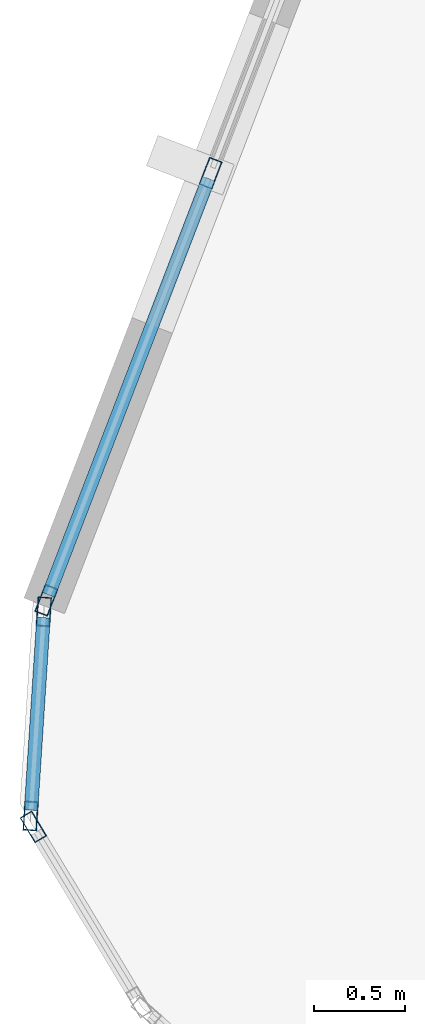
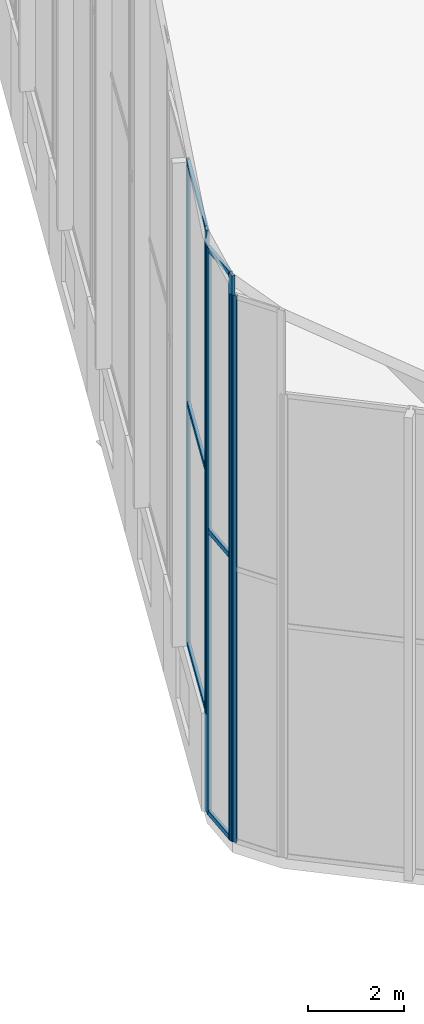
# One storey, part 12 of 74: 11 members, 3 elements without a shape of their own.
"""IFC4 building model written with IfcOpenShell, lengths in metres."""

from ifc_helpers import new_model, si_unit, direction, frame, origin, origin_2d, place, context, subcontext, project, spatial, hollow_rectangle, extrude, material, layer, layer_set, material_profile, profile_set, type_object, element, aggregate, save


model = new_model("IFC4")

# Units and contexts
model_context = context("Model", 3, precision=1e-05, world=origin(), true_north=direction((0.0, 1.0)))
body_context = subcontext(model_context, "Body", "Model", "MODEL_VIEW")
ifc_project = project(units=[si_unit("LENGTHUNIT", "METRE"), si_unit("AREAUNIT", "SQUARE_METRE"), si_unit("VOLUMEUNIT", "CUBIC_METRE"), si_unit("PLANEANGLEUNIT", "RADIAN"), si_unit("MASSUNIT", "GRAM", prefix="KILO")], contexts=[model_context])

# Site, building, storey
site_placement = place(None, origin())
site = spatial("IfcSite", under=ifc_project, at=site_placement, CompositionType="ELEMENT")
building_placement = place(site_placement, origin())
building = spatial("IfcBuilding", under=site, at=building_placement, Name="Keshet Zoharim Tower", CompositionType="ELEMENT")
storey_placement = place(building_placement, frame((0.0, 0.0, 320.0)))
storey = spatial("IfcBuildingStorey", under=building, at=storey_placement, Name="RF", CompositionType="ELEMENT", Elevation=320.0)

# Curtain wall, member
ifc_material = material(Name="Aluminium 6063-T6", Category="aluminium")
ifc_layer = layer(ifc_material, 0.260009765625)
ifc_layer_set = layer_set([ifc_layer], Name="Aluminium 6063-T6")
curtain_wall_type = type_object("IfcCurtainWallType", Name="CW-SYS-06", PredefinedType="NOTDEFINED", material=ifc_layer_set)
curtain_wall_1_placement = place(storey_placement, origin())
curtain_wall_1 = element("IfcCurtainWall", 1, at=curtain_wall_1_placement, inside=storey, type_object=curtain_wall_type, Name="Slanted Crown Curtain Wall 01", PredefinedType="NOTDEFINED")
ifc_material_profile_1 = material_profile(ifc_material, hollow_rectangle(XDim=0.074951171875, YDim=0.159912109375, WallThickness=0.00390625, at=origin_2d()), Name="MUL-75x160")
ifc_profile_set_1 = profile_set([ifc_material_profile_1], Name="Aluminium 6063-T6")
member_type_1 = type_object("IfcMemberType", Name="CWM-M15", PredefinedType="MULLION", material=ifc_profile_set_1)
member_1_placement = place(storey_placement, frame((3.436767578125, 22.774169921875, 0.0), z_axis=(0.0, 0.0, 1.0), x_axis=(-0.856826433805, -0.515604947933, 0.0)))
member_1 = element("IfcMember", 2, at=member_1_placement, type_object=member_type_1, Name="CW-06 mullion 2", PredefinedType="MULLION", context=body_context, shape_type="SweptSolid", body=[
    extrude(hollow_rectangle(XDim=0.074951171875, YDim=0.159912109375, WallThickness=0.00390625, at=origin_2d()), origin(), (0.0, 0.0, 1.0), 13.927978515625),
])
aggregate(curtain_wall_1, [member_1])

# Curtain wall, members
curtain_wall_2_placement = place(storey_placement, origin())
curtain_wall_2 = element("IfcCurtainWall", 3, at=curtain_wall_2_placement, inside=storey, type_object=curtain_wall_type, Name="Slanted Crown Curtain Wall 02", PredefinedType="NOTDEFINED")
member_2_placement = place(storey_placement, frame((3.422119140625, 22.83447265625, 0.0), z_axis=(0.0, 0.0, 1.0), x_axis=(-0.997916617186, 0.064516859374, 0.0)))
member_2 = element("IfcMember", 4, at=member_2_placement, type_object=member_type_1, Name="CW-06 mullion 1", PredefinedType="MULLION", context=body_context, shape_type="SweptSolid", body=[
    extrude(hollow_rectangle(XDim=0.074951171875, YDim=0.159912109375, WallThickness=0.00390625, at=origin_2d()), origin(), (0.0, 0.0, 1.0), 14.41796875),
])
member_3_placement = place(storey_placement, frame((3.494873046875, 23.96044921875, 0.0), z_axis=(0.0, 0.0, 1.0), x_axis=(-0.997916617186, 0.064516859374, 0.0)))
member_3 = element("IfcMember", 5, at=member_3_placement, type_object=member_type_1, Name="CW-06 mullion 2", PredefinedType="MULLION", context=body_context, shape_type="SweptSolid", body=[
    extrude(hollow_rectangle(XDim=0.074951171875, YDim=0.159912109375, WallThickness=0.00390625, at=origin_2d()), origin(), (0.0, 0.0, 1.0), 14.41796875),
])

curtain_wall_3_placement = place(storey_placement, origin())
curtain_wall_3 = element("IfcCurtainWall", 6, at=curtain_wall_3_placement, inside=storey, type_object=curtain_wall_type, Name="Slanted Crown Curtain Wall 03", PredefinedType="NOTDEFINED")
member_4_placement = place(storey_placement, frame((3.508544921875, 24.0234375, 2.5), z_axis=(0.0, 0.0, 1.0), x_axis=(-0.933345606206, 0.358979079302, 0.0)))
member_4 = element("IfcMember", 7, at=member_4_placement, type_object=member_type_1, Name="CW-06 mullion 1", PredefinedType="MULLION", context=body_context, shape_type="SweptSolid", body=[
    extrude(hollow_rectangle(XDim=0.074951171875, YDim=0.159912109375, WallThickness=0.00390625, at=origin_2d()), origin(), (0.0, 0.0, 1.0), 12.326904296875),
])
member_5_placement = place(storey_placement, frame((4.41455078125, 26.37841796875, 2.5), z_axis=(0.0, 0.0, 1.0), x_axis=(-0.933345606206, 0.358979079302, 0.0)))
member_5 = element("IfcMember", 8, at=member_5_placement, type_object=member_type_1, Name="CW-06 mullion 2", PredefinedType="MULLION", context=body_context, shape_type="SweptSolid", body=[
    extrude(hollow_rectangle(XDim=0.074951171875, YDim=0.159912109375, WallThickness=0.00390625, at=origin_2d()), origin(), (0.0, 0.0, 1.0), 12.326904296875),
])

# Member
ifc_material_profile_2 = material_profile(ifc_material, hollow_rectangle(XDim=0.074951171875, YDim=0.1201171875, WallThickness=0.00390625, at=origin_2d()), Name="TRN-75x120")
ifc_profile_set_2 = profile_set([ifc_material_profile_2], Name="Aluminium 6063-T6")
member_type_2 = type_object("IfcMemberType", Name="CWT-T12", PredefinedType="USERDEFINED", material=ifc_profile_set_2)
member_6_placement = place(storey_placement, frame((3.424072265625, 22.866943359375, 0.032470703125), z_axis=(0.064736250136, 0.997902409015, 0.0), x_axis=(-0.997902409015, 0.064736250136, 0.0)))
member_6 = element("IfcMember", 9, at=member_6_placement, type_object=member_type_2, Name="CW-06 transom 1.1", ObjectType="TRANSOM", PredefinedType="USERDEFINED", context=body_context, shape_type="SweptSolid", body=[
    extrude(hollow_rectangle(XDim=0.074951171875, YDim=0.1201171875, WallThickness=0.00390625, at=origin_2d()), origin(), (0.0, 0.0, 1.0), 1.0634765625),
])

member_7_placement = place(storey_placement, frame((3.424072265625, 22.866943359375, 7.208984375), z_axis=(0.064736250136, 0.997902409015, 0.0), x_axis=(-0.997902409015, 0.064736250136, 0.0)))
member_7 = element("IfcMember", 10, at=member_7_placement, type_object=member_type_2, Name="CW-06 transom 1.2", ObjectType="TRANSOM", PredefinedType="USERDEFINED", context=body_context, shape_type="SweptSolid", body=[
    extrude(hollow_rectangle(XDim=0.074951171875, YDim=0.1201171875, WallThickness=0.00390625, at=origin_2d()), origin(), (0.0, 0.0, 1.0), 1.0634765625),
])

member_8_placement = place(storey_placement, frame((3.424072265625, 22.866943359375, 14.385498046875), z_axis=(0.064736250136, 0.997902409015, 0.0), x_axis=(-0.997902409015, 0.064736250136, 0.0)))
member_8 = element("IfcMember", 11, at=member_8_placement, type_object=member_type_2, Name="CW-06 transom 1.3", ObjectType="TRANSOM", PredefinedType="USERDEFINED", context=body_context, shape_type="SweptSolid", body=[
    extrude(hollow_rectangle(XDim=0.074951171875, YDim=0.1201171875, WallThickness=0.00390625, at=origin_2d()), origin(), (0.0, 0.0, 1.0), 1.0634765625),
])

aggregate(curtain_wall_2, [member_2, member_3, member_6, member_7, member_8])

member_9_placement = place(storey_placement, frame((3.520263671875, 24.0537109375, 2.532470703125), z_axis=(0.359012353671, 0.933332807691, 0.0), x_axis=(-0.933332807691, 0.359012353671, 0.0)))
member_9 = element("IfcMember", 12, at=member_9_placement, type_object=member_type_2, Name="CW-06 transom 1.1", ObjectType="TRANSOM", PredefinedType="USERDEFINED", context=body_context, shape_type="SweptSolid", body=[
    extrude(hollow_rectangle(XDim=0.074951171875, YDim=0.1201171875, WallThickness=0.00390625, at=origin_2d()), origin(), (0.0, 0.0, 1.0), 2.458251953125),
])

member_10_placement = place(storey_placement, frame((3.520263671875, 24.0537109375, 8.6630859375), z_axis=(0.359012353671, 0.933332807691, 0.0), x_axis=(-0.933332807691, 0.359012353671, 0.0)))
member_10 = element("IfcMember", 13, at=member_10_placement, type_object=member_type_2, Name="CW-06 transom 1.2", ObjectType="TRANSOM", PredefinedType="USERDEFINED", context=body_context, shape_type="SweptSolid", body=[
    extrude(hollow_rectangle(XDim=0.074951171875, YDim=0.1201171875, WallThickness=0.00390625, at=origin_2d()), origin(), (0.0, 0.0, 1.0), 2.458251953125),
])

member_11_placement = place(storey_placement, frame((3.520263671875, 24.0537109375, 14.79443359375), z_axis=(0.359012353671, 0.933332807691, 0.0), x_axis=(-0.933332807691, 0.359012353671, 0.0)))
member_11 = element("IfcMember", 14, at=member_11_placement, type_object=member_type_2, Name="CW-06 transom 1.3", ObjectType="TRANSOM", PredefinedType="USERDEFINED", context=body_context, shape_type="SweptSolid", body=[
    extrude(hollow_rectangle(XDim=0.074951171875, YDim=0.1201171875, WallThickness=0.00390625, at=origin_2d()), origin(), (0.0, 0.0, 1.0), 2.458251953125),
])

aggregate(curtain_wall_3, [member_4, member_5, member_9, member_10, member_11])

save(model, "model.ifc")
